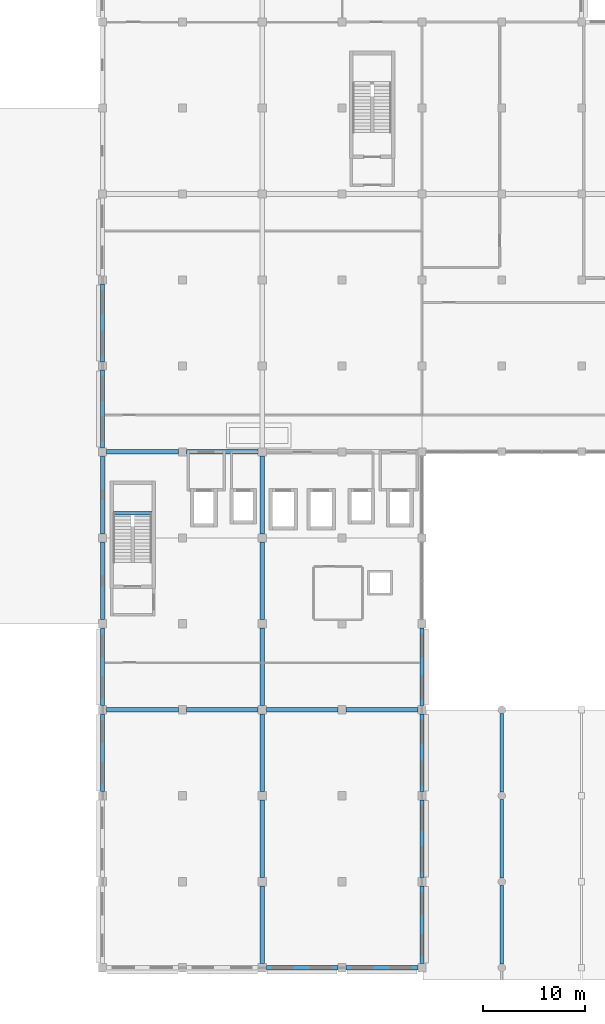
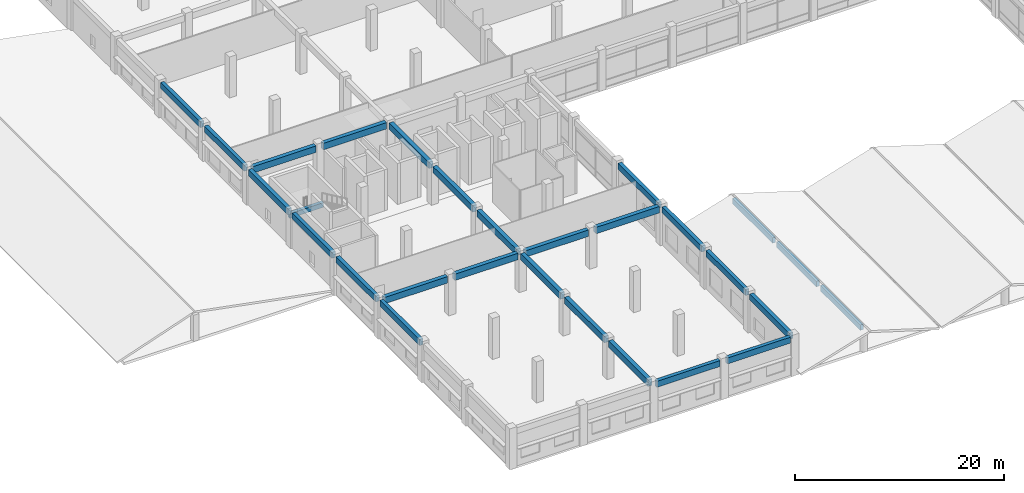
# One storey, part 2 of 62: 28 beams.
"""IFC4 building model written with IfcOpenShell, lengths in metres."""

from ifc_helpers import new_model, si_unit, direction, frame, origin, origin_2d, place, context, subcontext, project, spatial, rectangle, extrude, material, material_profile, profile_set, type_object, element, save


model = new_model("IFC4")

# Units and contexts
model_context = context("Model", 3, precision=1e-05, world=origin(), true_north=direction((0.0, 1.0)))
body_context = subcontext(model_context, "Body", "Model", "MODEL_VIEW")
ifc_project = project(units=[si_unit("LENGTHUNIT", "METRE"), si_unit("AREAUNIT", "SQUARE_METRE"), si_unit("VOLUMEUNIT", "CUBIC_METRE"), si_unit("PLANEANGLEUNIT", "RADIAN"), si_unit("MASSUNIT", "GRAM", prefix="KILO"), si_unit("THERMODYNAMICTEMPERATUREUNIT", "KELVIN"), si_unit("POWERUNIT", "WATT")], contexts=[model_context])

# Site, building, storey
site_placement = place(None, origin())
site = spatial("IfcSite", under=ifc_project, at=site_placement, CompositionType="ELEMENT")
building_placement = place(site_placement, origin())
building = spatial("IfcBuilding", under=site, at=building_placement, Name="Srebrne Nadtorze General Hospital", CompositionType="ELEMENT")
storey_placement = place(building_placement, frame((0.0, 0.0, 9.60009765625)))
storey = spatial("IfcBuildingStorey", under=building, at=storey_placement, Name="L02", CompositionType="ELEMENT", Elevation=9.60009765625)

# Beams
ifc_material_1 = material(Name="Concrete C35/45", Category="concrete")
ifc_material_profile_1 = material_profile(ifc_material_1, rectangle(XDim=0.35009765625, YDim=0.64990234375, at=origin_2d()), Name="RC-BM-350x650")
ifc_profile_set_1 = profile_set([ifc_material_profile_1], Name="Concrete C35/45")
beam_type_1 = type_object("IfcBeamType", Name="Edge beam RC 350x650", PredefinedType="BEAM", material=ifc_profile_set_1)
beam_1_placement = place(storey_placement, frame((62.39990234375, 0.375, 2.434814453125), z_axis=(0.0, 1.0, 0.0), x_axis=(-1.0, 0.0, 0.0)))
element("IfcBeam", 1, at=beam_1_placement, inside=storey, type_object=beam_type_1, Name="Folded plate ridge beam 9-1", PredefinedType="BEAM", context=body_context, shape_type="SweptSolid", body=[
    extrude(rectangle(XDim=0.35009765625, YDim=0.64990234375, at=origin_2d()), origin(), (0.0, 0.0, 1.0), 7.64990234375),
])
beam_2_placement = place(storey_placement, frame((62.39990234375, 8.77490234375, 2.434814453125), z_axis=(0.0, 1.0, 0.0), x_axis=(-1.0, 0.0, 0.0)))
element("IfcBeam", 2, at=beam_2_placement, inside=storey, type_object=beam_type_1, Name="Folded plate ridge beam 9-2", PredefinedType="BEAM", context=body_context, shape_type="SweptSolid", body=[
    extrude(rectangle(XDim=0.35009765625, YDim=0.64990234375, at=origin_2d()), origin(), (0.0, 0.0, 1.0), 7.650146484375),
])
beam_3_placement = place(storey_placement, frame((62.39990234375, 17.175048828125, 2.434814453125), z_axis=(0.0, 1.0, 0.0), x_axis=(-1.0, 0.0, 0.0)))
element("IfcBeam", 3, at=beam_3_placement, inside=storey, type_object=beam_type_1, Name="Folded plate ridge beam 9-3", PredefinedType="BEAM", context=body_context, shape_type="SweptSolid", body=[
    extrude(rectangle(XDim=0.35009765625, YDim=0.64990234375, at=origin_2d()), origin(), (0.0, 0.0, 1.0), 7.64990234375),
])
ifc_material_2 = material(Name="Concrete C40/50", Category="concrete")
ifc_material_profile_2 = material_profile(ifc_material_2, rectangle(XDim=0.39990234375, YDim=0.699951171875, at=origin_2d()), Name="RC-BM-400x700")
ifc_profile_set_2 = profile_set([ifc_material_profile_2], Name="Concrete C40/50")
beam_type_2 = type_object("IfcBeamType", Name="Edge beam RC 400x700", PredefinedType="BEAM", material=ifc_profile_set_2)
for number, where, z_axis, x_axis, name in (
    (4, (39.39990234375, 0.0, 4.14990234375), (1.0, 0.0, 0.0), (0.0, 1.0, 0.0), "Beam BM-L02-X-0555"),
    (5, (47.199951171875, 0.0, 4.14990234375), (1.0, 0.0, 0.0), (0.0, 1.0, 0.0), "Beam BM-L02-X-0556"),
):
    element("IfcBeam", number, at=place(storey_placement, frame(where, z_axis=z_axis, x_axis=x_axis)), inside=storey, type_object=beam_type_2, Name=name, PredefinedType="BEAM", context=body_context, shape_type="SweptSolid", body=[
        extrude(rectangle(XDim=0.39990234375, YDim=0.699951171875, at=origin_2d()), origin(), (0.0, 0.0, 1.0), 7.0),
    ])
beam_4_placement = place(storey_placement, frame((23.39990234375, 17.199951171875, 4.14990234375), z_axis=(0.0, 1.0, 0.0), x_axis=(-1.0, 0.0, 0.0)))
element("IfcBeam", 6, at=beam_4_placement, inside=storey, type_object=beam_type_2, Name="Beam BM-L02-Y-0632", PredefinedType="BEAM", context=body_context, shape_type="SweptSolid", body=[
    extrude(rectangle(XDim=0.39990234375, YDim=0.699951171875, at=origin_2d()), origin(), (0.0, 0.0, 1.0), 7.60009765625),
])
beam_5_placement = place(storey_placement, frame((23.39990234375, 25.60009765625, 4.14990234375), z_axis=(0.0, 1.0, 0.0), x_axis=(-1.0, 0.0, 0.0)))
element("IfcBeam", 7, at=beam_5_placement, inside=storey, type_object=beam_type_2, Name="Beam BM-L02-Y-0633", PredefinedType="BEAM", context=body_context, shape_type="SweptSolid", body=[
    extrude(rectangle(XDim=0.39990234375, YDim=0.699951171875, at=origin_2d()), origin(), (0.0, 0.0, 1.0), 7.599853515625),
])
for number, where, z_axis, x_axis, name in (
    (8, (23.39990234375, 34.0, 4.14990234375), (0.0, 1.0, 0.0), (-1.0, 0.0, 0.0), "Beam BM-L02-Y-0634"),
    (9, (23.39990234375, 42.39990234375, 4.14990234375), (0.0, 1.0, 0.0), (-1.0, 0.0, 0.0), "Beam BM-L02-Y-0635"),
):
    element("IfcBeam", number, at=place(storey_placement, frame(where, z_axis=z_axis, x_axis=x_axis)), inside=storey, type_object=beam_type_2, Name=name, PredefinedType="BEAM", context=body_context, shape_type="SweptSolid", body=[
        extrude(rectangle(XDim=0.39990234375, YDim=0.699951171875, at=origin_2d()), origin(), (0.0, 0.0, 1.0), 7.60009765625),
    ])
beam_6_placement = place(storey_placement, frame((23.39990234375, 50.800048828125, 4.14990234375), z_axis=(0.0, 1.0, 0.0), x_axis=(-1.0, 0.0, 0.0)))
element("IfcBeam", 10, at=beam_6_placement, inside=storey, type_object=beam_type_2, Name="Beam BM-L02-Y-0636", PredefinedType="BEAM", context=body_context, shape_type="SweptSolid", body=[
    extrude(rectangle(XDim=0.39990234375, YDim=0.699951171875, at=origin_2d()), origin(), (0.0, 0.0, 1.0), 7.599853515625),
])
for number, where, z_axis, x_axis, name in (
    (11, (23.39990234375, 59.199951171875, 4.14990234375), (0.0, 1.0, 0.0), (-1.0, 0.0, 0.0), "Beam BM-L02-Y-0637"),
    (12, (54.60009765625, 0.39990234375, 4.14990234375), (0.0, 1.0, 0.0), (-1.0, 0.0, 0.0), "Beam BM-L02-Y-0658"),
):
    element("IfcBeam", number, at=place(storey_placement, frame(where, z_axis=z_axis, x_axis=x_axis)), inside=storey, type_object=beam_type_2, Name=name, PredefinedType="BEAM", context=body_context, shape_type="SweptSolid", body=[
        extrude(rectangle(XDim=0.39990234375, YDim=0.699951171875, at=origin_2d()), origin(), (0.0, 0.0, 1.0), 7.60009765625),
    ])
beam_7_placement = place(storey_placement, frame((54.60009765625, 8.800048828125, 4.14990234375), z_axis=(0.0, 1.0, 0.0), x_axis=(-1.0, 0.0, 0.0)))
element("IfcBeam", 13, at=beam_7_placement, inside=storey, type_object=beam_type_2, Name="Beam BM-L02-Y-0659", PredefinedType="BEAM", context=body_context, shape_type="SweptSolid", body=[
    extrude(rectangle(XDim=0.39990234375, YDim=0.699951171875, at=origin_2d()), origin(), (0.0, 0.0, 1.0), 7.599853515625),
])
beam_8_placement = place(storey_placement, frame((54.60009765625, 17.199951171875, 4.14990234375), z_axis=(0.0, 1.0, 0.0), x_axis=(-1.0, 0.0, 0.0)))
element("IfcBeam", 14, at=beam_8_placement, inside=storey, type_object=beam_type_2, Name="Beam BM-L02-Y-0660", PredefinedType="BEAM", context=body_context, shape_type="SweptSolid", body=[
    extrude(rectangle(XDim=0.39990234375, YDim=0.699951171875, at=origin_2d()), origin(), (0.0, 0.0, 1.0), 7.60009765625),
])
beam_9_placement = place(storey_placement, frame((54.60009765625, 25.60009765625, 4.14990234375), z_axis=(0.0, 1.0, 0.0), x_axis=(-1.0, 0.0, 0.0)))
element("IfcBeam", 15, at=beam_9_placement, inside=storey, type_object=beam_type_2, Name="Beam BM-L02-Y-0661", PredefinedType="BEAM", context=body_context, shape_type="SweptSolid", body=[
    extrude(rectangle(XDim=0.39990234375, YDim=0.699951171875, at=origin_2d()), origin(), (0.0, 0.0, 1.0), 7.599853515625),
])
ifc_material_3 = material(Name="Concrete C40/50", Category="concrete")
ifc_material_profile_3 = material_profile(ifc_material_3, rectangle(XDim=0.449951171875, YDim=0.75, at=origin_2d()), Name="RC-BM-450x750")
ifc_profile_set_3 = profile_set([ifc_material_profile_3], Name="Concrete C40/50")
beam_type_3 = type_object("IfcBeamType", Name="Primary beam RC 450x750", PredefinedType="BEAM", material=ifc_profile_set_3)
for number, where, z_axis, x_axis, name in (
    (16, (23.800048828125, 25.199951171875, 4.125), (1.0, 0.0, 0.0), (0.0, 1.0, 0.0), "Beam BM-L02-X-0565"),
    (17, (31.60009765625, 25.199951171875, 4.125), (1.0, 0.0, 0.0), (0.0, 1.0, 0.0), "Beam BM-L02-X-0566"),
    (18, (39.39990234375, 25.199951171875, 4.125), (1.0, 0.0, 0.0), (0.0, 1.0, 0.0), "Beam BM-L02-X-0567"),
    (19, (47.199951171875, 25.199951171875, 4.125), (1.0, 0.0, 0.0), (0.0, 1.0, 0.0), "Beam BM-L02-X-0568"),
    (20, (23.800048828125, 50.39990234375, 4.125), (1.0, 0.0, 0.0), (0.0, 1.0, 0.0), "Beam BM-L02-X-0578"),
    (21, (31.60009765625, 50.39990234375, 4.125), (1.0, 0.0, 0.0), (0.0, 1.0, 0.0), "Beam BM-L02-X-0579"),
):
    element("IfcBeam", number, at=place(storey_placement, frame(where, z_axis=z_axis, x_axis=x_axis)), inside=storey, type_object=beam_type_3, Name=name, PredefinedType="BEAM", context=body_context, shape_type="SweptSolid", body=[
        extrude(rectangle(XDim=0.449951171875, YDim=0.75, at=origin_2d()), origin(), (0.0, 0.0, 1.0), 7.0),
    ])
beam_10_placement = place(storey_placement, frame((39.0, 0.39990234375, 4.125), z_axis=(0.0, 1.0, 0.0), x_axis=(-1.0, 0.0, 0.0)))
element("IfcBeam", 22, at=beam_10_placement, inside=storey, type_object=beam_type_3, Name="Beam BM-L02-Y-0644", PredefinedType="BEAM", context=body_context, shape_type="SweptSolid", body=[
    extrude(rectangle(XDim=0.449951171875, YDim=0.75, at=origin_2d()), origin(), (0.0, 0.0, 1.0), 7.60009765625),
])
beam_11_placement = place(storey_placement, frame((39.0, 8.800048828125, 4.125), z_axis=(0.0, 1.0, 0.0), x_axis=(-1.0, 0.0, 0.0)))
element("IfcBeam", 23, at=beam_11_placement, inside=storey, type_object=beam_type_3, Name="Beam BM-L02-Y-0645", PredefinedType="BEAM", context=body_context, shape_type="SweptSolid", body=[
    extrude(rectangle(XDim=0.449951171875, YDim=0.75, at=origin_2d()), origin(), (0.0, 0.0, 1.0), 7.599853515625),
])
beam_12_placement = place(storey_placement, frame((39.0, 17.199951171875, 4.125), z_axis=(0.0, 1.0, 0.0), x_axis=(-1.0, 0.0, 0.0)))
element("IfcBeam", 24, at=beam_12_placement, inside=storey, type_object=beam_type_3, Name="Beam BM-L02-Y-0646", PredefinedType="BEAM", context=body_context, shape_type="SweptSolid", body=[
    extrude(rectangle(XDim=0.449951171875, YDim=0.75, at=origin_2d()), origin(), (0.0, 0.0, 1.0), 7.60009765625),
])
beam_13_placement = place(storey_placement, frame((39.0, 25.60009765625, 4.125), z_axis=(0.0, 1.0, 0.0), x_axis=(-1.0, 0.0, 0.0)))
element("IfcBeam", 25, at=beam_13_placement, inside=storey, type_object=beam_type_3, Name="Beam BM-L02-Y-0647", PredefinedType="BEAM", context=body_context, shape_type="SweptSolid", body=[
    extrude(rectangle(XDim=0.449951171875, YDim=0.75, at=origin_2d()), origin(), (0.0, 0.0, 1.0), 7.599853515625),
])
for number, where, z_axis, x_axis, name in (
    (26, (39.0, 34.0, 4.125), (0.0, 1.0, 0.0), (-1.0, 0.0, 0.0), "Beam BM-L02-Y-0648"),
    (27, (39.0, 42.39990234375, 4.125), (0.0, 1.0, 0.0), (-1.0, 0.0, 0.0), "Beam BM-L02-Y-0649"),
):
    element("IfcBeam", number, at=place(storey_placement, frame(where, z_axis=z_axis, x_axis=x_axis)), inside=storey, type_object=beam_type_3, Name=name, PredefinedType="BEAM", context=body_context, shape_type="SweptSolid", body=[
        extrude(rectangle(XDim=0.449951171875, YDim=0.75, at=origin_2d()), origin(), (0.0, 0.0, 1.0), 7.60009765625),
    ])
ifc_material_4 = material(Name="Concrete C35/45", Category="concrete")
ifc_material_profile_4 = material_profile(ifc_material_4, rectangle(XDim=0.35009765625, YDim=0.550048828125, at=origin_2d()), Name="RC-BM-350x550")
ifc_profile_set_4 = profile_set([ifc_material_profile_4], Name="Concrete C35/45")
beam_type_4 = type_object("IfcBeamType", Name="Spandrel lintel beam RC 350x550", PredefinedType="LINTEL", material=ifc_profile_set_4)
beam_14_placement = place(storey_placement, frame((24.449951171875, 44.39990234375, 2.125), z_axis=(1.0, 0.0, 0.0), x_axis=(0.0, 1.0, 0.0)))
element("IfcBeam", 28, at=beam_14_placement, inside=storey, type_object=beam_type_4, Name="Stair landing header beam ST-01 L02", PredefinedType="LINTEL", context=body_context, shape_type="SweptSolid", body=[
    extrude(rectangle(XDim=0.35009765625, YDim=0.550048828125, at=origin_2d()), origin(), (0.0, 0.0, 1.0), 3.75),
])

save(model, "model.ifc")
